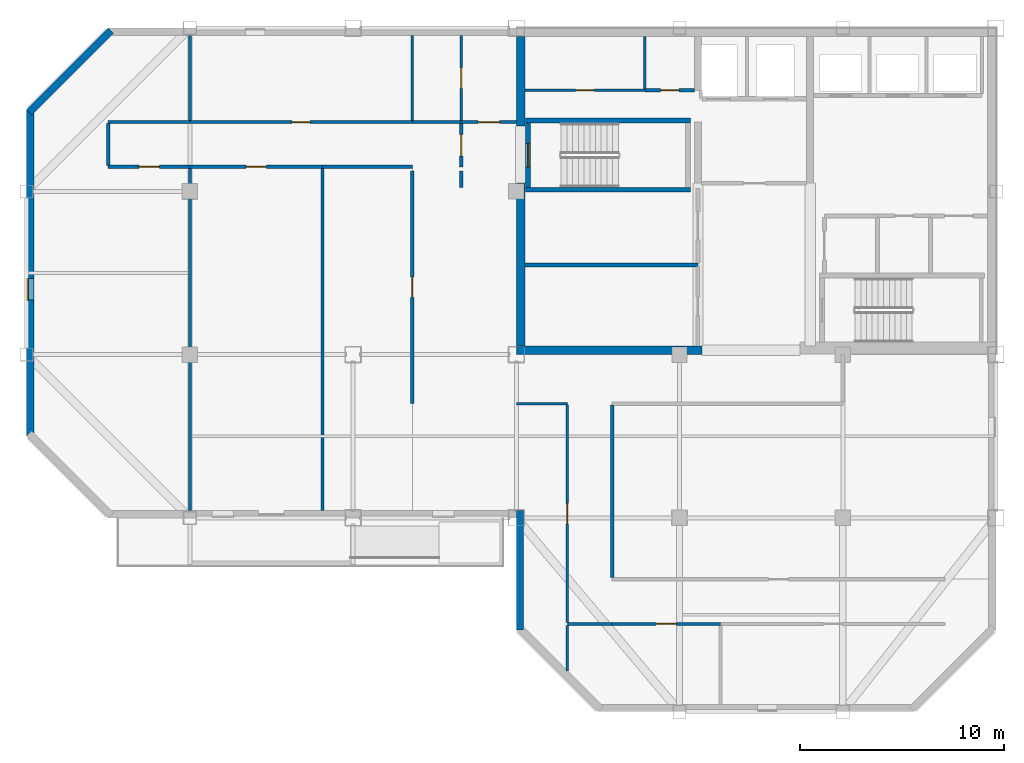
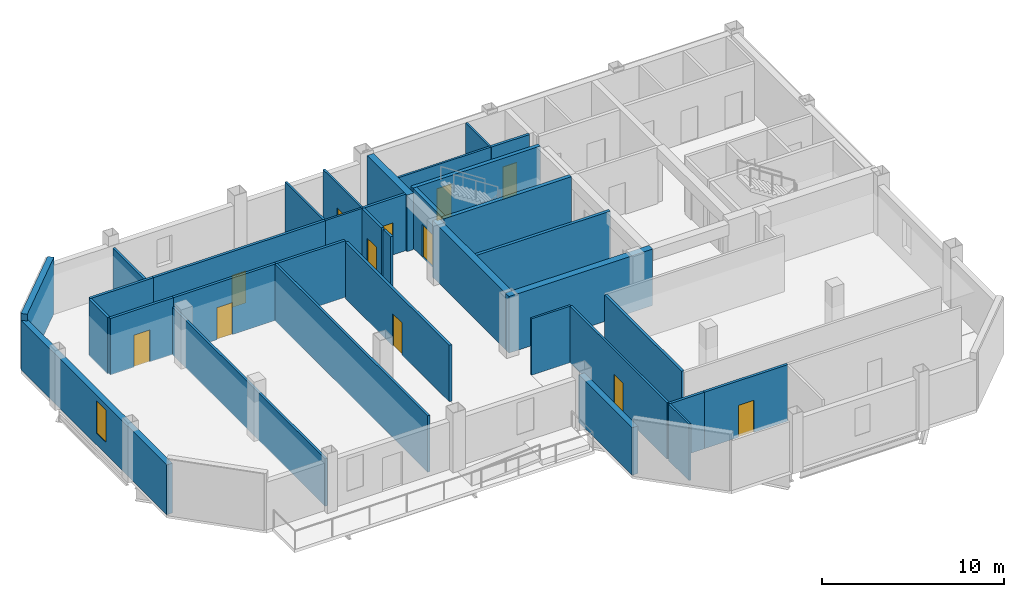
# One storey, part 2 of 7: 35 walls, 12 doors, 1 window, 13 openings.
"""IFC4 building model written with IfcOpenShell, lengths in metres."""

import ifcopenshell
import ifcopenshell.guid

model = None  # the IFC model being written
_history = None  # IfcOwnerHistory: only IFC2X3 demands one
_inside = {}  # id of a spatial element -> (the spatial element, [elements in it])
_under = {}  # id of a project, library or spatial element -> (it, [spatial elements below it])
_declared = {}  # id of a project -> (the project, [libraries it declares])
_typed = {}  # id of a type object -> (the type object, [elements of that type])
_made_of = {}  # id of a material, layer set ... -> (it, [elements and type objects made of it])


def new_model(schema):
    """Start an empty IFC model of exactly this schema.

    Asked for "IFC4X3", IfcOpenShell would pick the latest addendum, in which some entities
    have other attributes; the version numbers below select the first issue.
    IFC2X3 requires an IfcOwnerHistory on every rooted entity: one is made here for all.
    """
    global model, _history
    if schema == "IFC4X3":
        model = ifcopenshell.file(schema_version=(4, 3, 0, 0))
    else:
        model = ifcopenshell.file(schema=schema)
    _inside.clear()
    _under.clear()
    _declared.clear()
    _typed.clear()
    _made_of.clear()
    _history = None
    if model.schema == "IFC2X3":
        org = make("IfcOrganization", Name="unknown")
        user = make(
            "IfcPersonAndOrganization",
            ThePerson=make("IfcPerson", FamilyName="unknown"),
            TheOrganization=org,
        )
        app = make(
            "IfcApplication",
            ApplicationDeveloper=org,
            Version="unknown",
            ApplicationFullName="unknown",
            ApplicationIdentifier="unknown",
        )
        _history = make(
            "IfcOwnerHistory",
            OwningUser=user,
            OwningApplication=app,
            ChangeAction="ADDED",
            CreationDate=0,
        )
    return model


def make(cls, **values):
    """One entity of the class cls with the attributes given. An attribute that is None is left unset."""
    return model.create_entity(
        cls, **{name: value for name, value in values.items() if value is not None}
    )


def rooted(cls, **values):
    """An entity with a GlobalId (a new one), such as an element, a storey or a relation."""
    return make(cls, GlobalId=ifcopenshell.guid.new(), OwnerHistory=_history, **values)


def si_unit(unit_type, name, prefix=None):
    """IfcSIUnit, for example si_unit("LENGTHUNIT", "METRE", prefix="MILLI")."""
    return make("IfcSIUnit", UnitType=unit_type, Prefix=prefix, Name=name)


def assignment(units):
    """IfcUnitAssignment: the units of a project."""
    return None if units is None else make("IfcUnitAssignment", Units=units)


def point(xyz):
    """IfcCartesianPoint."""
    return None if xyz is None else make("IfcCartesianPoint", Coordinates=xyz)


def direction(xyz):
    """IfcDirection."""
    return None if xyz is None else make("IfcDirection", DirectionRatios=xyz)


def frame(location, z_axis=None, x_axis=None):
    """IfcAxis2Placement3D, a coordinate frame: its origin and axes. An axis left out is left unset."""
    return make(
        "IfcAxis2Placement3D",
        Location=point(location),
        Axis=direction(z_axis),
        RefDirection=direction(x_axis),
    )


def frame_2d(location, x_axis=None):
    """IfcAxis2Placement2D, a coordinate frame in the plane: its origin and x axis."""
    return make(
        "IfcAxis2Placement2D", Location=point(location), RefDirection=direction(x_axis)
    )


def origin():
    """The frame at (0, 0, 0) with its axes left unset."""
    return frame((0.0, 0.0, 0.0))


def place(relative_to, where):
    """IfcLocalPlacement: puts the frame where relative to a parent placement (None: the world)."""
    return make(
        "IfcLocalPlacement", PlacementRelTo=relative_to, RelativePlacement=where
    )


def context(
    kind, dimensions, precision=None, world=None, true_north=None, identifier=None
):
    """IfcGeometricRepresentationContext, for example the 3D "Model" context."""
    return make(
        "IfcGeometricRepresentationContext",
        ContextIdentifier=identifier,
        ContextType=kind,
        CoordinateSpaceDimension=dimensions,
        Precision=precision,
        WorldCoordinateSystem=world,
        TrueNorth=true_north,
    )


def subcontext(parent, identifier, kind, view, scale=None):
    """IfcGeometricRepresentationSubContext, for example "Body" below "Model"."""
    return make(
        "IfcGeometricRepresentationSubContext",
        ContextIdentifier=identifier,
        ContextType=kind,
        ParentContext=parent,
        TargetScale=scale,
        TargetView=view,
    )


def project(units=None, contexts=None):
    """IfcProject with its units and contexts."""
    return rooted(
        "IfcProject",
        Name="project",
        RepresentationContexts=contexts,
        UnitsInContext=assignment(units),
    )


def spatial(cls, under=None, at=None, **own):
    """A site, building, storey or space (cls), placed at a placement, below another one or the project."""
    s = rooted(cls, ObjectPlacement=at, **own)
    if under is not None:
        _under.setdefault(under.id(), (under, []))[1].append(s)
    return s


def profile(cls, at=None, kind="AREA", **sizes):
    """A parametric profile (cls). Its sizes go by their IFC names, for example OverallWidth=200.0."""
    return make(cls, ProfileType=kind, Position=at, **sizes)


def rectangle(**sizes):
    """IfcRectangleProfileDef."""
    return profile("IfcRectangleProfileDef", **sizes)


def extrude(swept, where, along, depth):
    """IfcExtrudedAreaSolid: the profile swept, set in the frame where, extruded along a direction by depth."""
    return make(
        "IfcExtrudedAreaSolid",
        SweptArea=swept,
        Position=where,
        ExtrudedDirection=direction(along),
        Depth=depth,
    )


def shape(context_of_items, identifier, shape_type, items):
    """IfcShapeRepresentation: the items that make up one representation, for example the "Body"."""
    return make(
        "IfcShapeRepresentation",
        ContextOfItems=context_of_items,
        RepresentationIdentifier=identifier,
        RepresentationType=shape_type,
        Items=items,
    )


def material(Name=None, Category=None):
    """IfcMaterial."""
    return make("IfcMaterial", Name=Name, Category=Category)


def layer(
    of_material, thickness, ventilated=None, Name=None, Category=None, Priority=None
):
    """IfcMaterialLayer: one layer of a wall or slab, of a material (None: an air gap)."""
    return make(
        "IfcMaterialLayer",
        Material=of_material,
        LayerThickness=thickness,
        IsVentilated=ventilated,
        Name=Name,
        Category=Category,
        Priority=Priority,
    )


def layer_set(layers, Name=None):
    """IfcMaterialLayerSet."""
    return make("IfcMaterialLayerSet", MaterialLayers=layers, LayerSetName=Name)


def made_of(thing, what):
    """Note that an element or type object is made of a material, layer set ...; save() writes the relation."""
    if what is not None:
        _made_of.setdefault(what.id(), (what, []))[1].append(thing)
    return thing


def type_object(cls, material=None, **own):
    """A type object (cls), such as IfcWallType, which elements share."""
    return made_of(rooted(cls, **own), material)


def element(
    cls,
    number,
    at=None,
    inside=None,
    cuts=None,
    type_object=None,
    material=None,
    context=None,
    identifier="Body",
    shape_type=None,
    held_by="IfcProductDefinitionShape",
    body=None,
    shapes=None,
    **own,
):
    """One element of the class cls, such as IfcWall. Its Tag is "e" and its number.

    at: its placement. inside: the storey or other place that contains it. cuts: it is an
    opening in that element (IfcRelVoidsElement). A single representation is given by context,
    identifier, shape_type and body (its items); several are given by shapes. held_by: the class
    of the entity that holds the representations. save() writes the other relations.
    """
    e = rooted(cls, Tag="e%d" % number, ObjectPlacement=at, **own)
    if body is not None:
        shapes = [shape(context, identifier, shape_type, body)]
    if shapes is not None:
        e.Representation = make(held_by, Representations=shapes)
    if inside is not None:
        _inside.setdefault(inside.id(), (inside, []))[1].append(e)
    if cuts is not None:
        rooted(
            "IfcRelVoidsElement", RelatingBuildingElement=cuts, RelatedOpeningElement=e
        )
    if type_object is not None:
        _typed.setdefault(type_object.id(), (type_object, []))[1].append(e)
    return made_of(e, material)


def fill(opening, filler):
    """IfcRelFillsElement: the door or window that sits in an opening."""
    return rooted(
        "IfcRelFillsElement",
        RelatingOpeningElement=opening,
        RelatedBuildingElement=filler,
    )


def aggregate(whole, parts):
    """IfcRelAggregates: a whole, such as a stair, and the parts it consists of."""
    return rooted("IfcRelAggregates", RelatingObject=whole, RelatedObjects=parts)


def save(model, path):
    """Write the relations noted so far, then the file.

    IfcRelAggregates (storeys below a building ...), IfcRelContainedInSpatialStructure (elements
    in a storey), IfcRelDefinesByType, IfcRelAssociatesMaterial and IfcRelDeclares: one each for
    every whole, place, type object, material and project.
    """
    for whole, parts in _under.values():
        aggregate(whole, parts)
    for where, things in _inside.values():
        rooted(
            "IfcRelContainedInSpatialStructure",
            RelatedElements=things,
            RelatingStructure=where,
        )
    for kind, things in _typed.values():
        rooted("IfcRelDefinesByType", RelatedObjects=things, RelatingType=kind)
    for what, things in _made_of.values():
        rooted("IfcRelAssociatesMaterial", RelatedObjects=things, RelatingMaterial=what)
    for by, libraries in _declared.values():
        rooted("IfcRelDeclares", RelatingContext=by, RelatedDefinitions=libraries)
    model.write(path)


model = new_model("IFC4")

# Units and contexts
model_context = context("Model", 3, precision=1e-05, world=origin(), true_north=direction((0.0, 1.0)))
body_context = subcontext(model_context, "Body", "Model", "MODEL_VIEW")
ifc_project = project(units=[si_unit("LENGTHUNIT", "METRE"), si_unit("AREAUNIT", "SQUARE_METRE"), si_unit("VOLUMEUNIT", "CUBIC_METRE"), si_unit("PLANEANGLEUNIT", "RADIAN"), si_unit("MASSUNIT", "GRAM", prefix="KILO")], contexts=[model_context])

# Site, building, storey
site_placement = place(None, origin())
site = spatial("IfcSite", under=ifc_project, at=site_placement, CompositionType="ELEMENT")
building_placement = place(site_placement, origin())
building = spatial("IfcBuilding", under=site, at=building_placement, Name="Qianrong Seaharbour Tower", CompositionType="ELEMENT")
storey_placement = place(building_placement, frame((0.0, 0.0, 323.199951171875)))
storey = spatial("IfcBuildingStorey", under=building, at=storey_placement, Name="L78", CompositionType="ELEMENT", Elevation=323.199951171875)

# Walls
ifc_material_1 = material(Name="Concrete C50/60", Category="concrete")
ifc_layer_1 = layer(ifc_material_1, 0.419921875)
ifc_layer_set_1 = layer_set([ifc_layer_1], Name="Concrete C50/60")
wall_type_1 = type_object("IfcWallType", Name="WALL-CORE-420", PredefinedType="SHEAR", material=ifc_layer_set_1)
wall_1_placement = place(storey_placement, frame((40.7099609375, 36.419921875, 0.0), z_axis=(0.0, 0.0, 1.0), x_axis=(0.0, 1.0, 0.0)))
element("IfcWall", 1, at=wall_1_placement, inside=storey, type_object=wall_type_1, Name="L78 West Core Shear Wall South", PredefinedType="SHEAR", context=body_context, shape_type="SweptSolid", body=[
    extrude(rectangle(XDim=7.97998046875, YDim=0.419921875, at=frame_2d((3.989990234375, 0.0))), origin(), (0.0, 0.0, 1.0), 3.78515625),
])
wall_2_placement = place(storey_placement, frame((40.7099609375, 47.199951171875, 0.0), z_axis=(0.0, 0.0, 1.0), x_axis=(0.0, 1.0, 0.0)))
element("IfcWall", 2, at=wall_2_placement, inside=storey, type_object=wall_type_1, Name="L78 West Core Shear Wall North", PredefinedType="SHEAR", context=body_context, shape_type="SweptSolid", body=[
    extrude(rectangle(XDim=4.380126953125, YDim=0.419921875, at=frame_2d((2.18994140625, 0.0))), origin(), (0.0, 0.0, 1.0), 3.78515625),
])
wall_3_placement = place(storey_placement, frame((40.5, 36.2099609375, 0.0), z_axis=(0.0, 0.0, 1.0), x_axis=(1.0, 0.0, 0.0)))
element("IfcWall", 3, at=wall_3_placement, inside=storey, type_object=wall_type_1, Name="L78 South Core Shear Wall S1", PredefinedType="SHEAR", context=body_context, shape_type="SweptSolid", body=[
    extrude(rectangle(XDim=9.10009765625, YDim=0.419921875, at=frame_2d((4.550048828125, 0.0))), origin(), (0.0, 0.0, 1.0), 3.78515625),
])

# Wall, opening, door
ifc_material_2 = material(Name="Fire-rated acoustic gypsum board partition")
ifc_layer_2 = layer(ifc_material_2, 0.1650390625)
ifc_layer_set_2 = layer_set([ifc_layer_2], Name="Fire-rated acoustic gypsum board partition")
wall_type_2 = type_object("IfcWallType", Name="WALL-CORR-PART-165", PredefinedType="PARTITIONING", material=ifc_layer_set_2)
wall_4_placement = place(storey_placement, frame((37.800048828125, 47.39990234375, 0.0), z_axis=(0.0, 0.0, 1.0), x_axis=(1.0, 0.0, 0.0)))
wall_4 = element("IfcWall", 4, at=wall_4_placement, inside=storey, type_object=wall_type_2, Name="L78 Interior Partition Wall 001", PredefinedType="PARTITIONING", context=body_context, shape_type="SweptSolid", body=[
    extrude(rectangle(XDim=2.699951171875, YDim=0.1650390625, at=frame_2d((1.35009765625, 0.0))), origin(), (0.0, 0.0, 1.0), 3.78515625),
])
opening_1_placement = place(wall_4_placement, frame((0.824951171875, 0.0, 0.0)))
opening_1 = element("IfcOpeningElement", 5, at=opening_1_placement, cuts=wall_4, Name="Opening DC-01", PredefinedType="OPENING", context=body_context, shape_type="SweptSolid", body=[
    extrude(rectangle(XDim=1.050048828125, YDim=2.14990234375, at=frame_2d((0.52490234375, 1.074951171875))), frame((0.0, 0.092529296875, 0.0), z_axis=(0.0, -1.0, 0.0), x_axis=(1.0, 0.0, 0.0)), (0.0, 0.0, 1.0), 0.18505859375),
])
ifc_material_3 = material(Name="Acoustic timber and galvanized steel fire door assembly", Category="steel")
door_type_1 = type_object("IfcDoorType", Name="DOOR-CORR-FD60-1050x2150", OperationType="NOTDEFINED", PredefinedType="DOOR", material=ifc_material_3)
door_1_placement = place(opening_1_placement, origin())
door_1 = element("IfcDoor", 6, at=door_1_placement, inside=storey, type_object=door_type_1, Name="L78 Smokeproof Stair Vestibule ST-1 Door", OperationType="SINGLE_SWING_LEFT", OverallHeight=2.14990234375, OverallWidth=1.050048828125, PredefinedType="DOOR", context=body_context, shape_type="SweptSolid", body=[
    extrude(rectangle(XDim=1.050048828125, YDim=2.14990234375, at=frame_2d((0.52490234375, 1.074951171875))), frame((0.0, 0.02490234375, 0.0), z_axis=(0.0, -1.0, 0.0), x_axis=(1.0, 0.0, 0.0)), (0.0, 0.0, 1.0), 0.050048828125),
])
fill(opening_1, door_1)

wall_5_placement = place(storey_placement, frame((37.800048828125, 45.199951171875, 0.0), z_axis=(0.0, 0.0, 1.0), x_axis=(0.0, 1.0, 0.0)))
wall_5 = element("IfcWall", 7, at=wall_5_placement, inside=storey, type_object=wall_type_2, Name="L78 Interior Partition Wall 002", PredefinedType="PARTITIONING", context=body_context, shape_type="SweptSolid", body=[
    extrude(rectangle(XDim=2.12548828125, YDim=0.1650390625, at=frame_2d((1.062744140625, 0.0))), origin(), (0.0, 0.0, 1.0), 3.78515625),
])
opening_2_placement = place(wall_5_placement, frame((0.537841796875, 0.0, 0.0)))
opening_2 = element("IfcOpeningElement", 8, at=opening_2_placement, cuts=wall_5, Name="Opening DC-01", PredefinedType="OPENING", context=body_context, shape_type="SweptSolid", body=[
    extrude(rectangle(XDim=1.050048828125, YDim=2.14990234375, at=frame_2d((0.52490234375, 1.074951171875))), frame((0.0, 0.092529296875, 0.0), z_axis=(0.0, -1.0, 0.0), x_axis=(1.0, 0.0, 0.0)), (0.0, 0.0, 1.0), 0.18505859375),
])
door_2_placement = place(opening_2_placement, origin())
door_2 = element("IfcDoor", 9, at=door_2_placement, inside=storey, type_object=door_type_1, Name="L78 Smokeproof Stair Vestibule ST-1 Door", OperationType="SINGLE_SWING_RIGHT", OverallHeight=2.14990234375, OverallWidth=1.050048828125, PredefinedType="DOOR", context=body_context, shape_type="SweptSolid", body=[
    extrude(rectangle(XDim=1.050048828125, YDim=2.14990234375, at=frame_2d((0.52490234375, 1.074951171875))), frame((0.0, 0.02490234375, 0.0), z_axis=(0.0, -1.0, 0.0), x_axis=(1.0, 0.0, 0.0)), (0.0, 0.0, 1.0), 0.050048828125),
])
fill(opening_2, door_2)

# Wall
wall_6_placement = place(storey_placement, frame((37.800048828125, 44.199951171875, 0.0), z_axis=(0.0, 0.0, 1.0), x_axis=(0.0, 1.0, 0.0)))
element("IfcWall", 10, at=wall_6_placement, inside=storey, type_object=wall_type_2, Name="L78 Interior Partition Wall 003", PredefinedType="PARTITIONING", context=body_context, shape_type="SweptSolid", body=[
    extrude(rectangle(XDim=0.800048828125, YDim=0.1650390625, at=frame_2d((0.39990234375, 0.0))), origin(), (0.0, 0.0, 1.0), 3.78515625),
])

# Wall, opening, door
wall_7_placement = place(storey_placement, frame((46.800048828125, 48.949951171875, 0.0), z_axis=(0.0, 0.0, 1.0), x_axis=(1.0, 0.0, 0.0)))
wall_7 = element("IfcWall", 11, at=wall_7_placement, inside=storey, type_object=wall_type_2, Name="L78 Interior Partition Wall 008", PredefinedType="PARTITIONING", context=body_context, shape_type="SweptSolid", body=[
    extrude(rectangle(XDim=2.432861328125, YDim=0.1650390625, at=frame_2d((1.21630859375, 0.0))), origin(), (0.0, 0.0, 1.0), 3.78515625),
])
opening_3_placement = place(wall_7_placement, frame((0.7666015625, 0.0, 0.0)))
opening_3 = element("IfcOpeningElement", 12, at=opening_3_placement, cuts=wall_7, Name="Opening DS-01", PredefinedType="OPENING", context=body_context, shape_type="SweptSolid", body=[
    extrude(rectangle(XDim=0.89990234375, YDim=2.14990234375, at=frame_2d((0.449951171875, 1.074951171875))), frame((0.0, 0.092529296875, 0.0), z_axis=(0.0, -1.0, 0.0), x_axis=(1.0, 0.0, 0.0)), (0.0, 0.0, 1.0), 0.18505859375),
])
door_type_2 = type_object("IfcDoorType", Name="DOOR-STORE-900x2150", OperationType="NOTDEFINED", PredefinedType="DOOR", material=ifc_material_3)
door_3_placement = place(opening_3_placement, origin())
door_3 = element("IfcDoor", 13, at=door_3_placement, inside=storey, type_object=door_type_2, Name="L78 Janitor Store Room Door", OperationType="SINGLE_SWING_LEFT", OverallHeight=2.14990234375, OverallWidth=0.89990234375, PredefinedType="DOOR", context=body_context, shape_type="SweptSolid", body=[
    extrude(rectangle(XDim=0.89990234375, YDim=2.14990234375, at=frame_2d((0.449951171875, 1.074951171875))), frame((0.0, 0.02490234375, 0.0), z_axis=(0.0, -1.0, 0.0), x_axis=(1.0, 0.0, 0.0)), (0.0, 0.0, 1.0), 0.050048828125),
])
fill(opening_3, door_3)

wall_8_placement = place(storey_placement, frame((24.5, 45.199951171875, 0.0), z_axis=(0.0, 0.0, 1.0), x_axis=(-1.0, 0.0, 0.0)))
wall_8 = element("IfcWall", 14, at=wall_8_placement, inside=storey, type_object=wall_type_2, Name="L78 Interior Partition Wall 020", PredefinedType="PARTITIONING", context=body_context, shape_type="SweptSolid", body=[
    extrude(rectangle(XDim=4.0, YDim=0.1650390625, at=frame_2d((2.0, 0.0))), origin(), (0.0, 0.0, 1.0), 3.78515625),
])
opening_4_placement = place(wall_8_placement, frame((1.5, 0.0, 0.0)))
opening_4 = element("IfcOpeningElement", 15, at=opening_4_placement, cuts=wall_8, Name="Opening DO-01", PredefinedType="OPENING", context=body_context, shape_type="SweptSolid", body=[
    extrude(rectangle(XDim=1.0, YDim=2.14990234375, at=frame_2d((0.5, 1.074951171875))), frame((0.0, 0.092529296875, 0.0), z_axis=(0.0, -1.0, 0.0), x_axis=(1.0, 0.0, 0.0)), (0.0, 0.0, 1.0), 0.18505859375),
])
door_type_3 = type_object("IfcDoorType", Name="DOOR-OFFICE-1000x2150", OperationType="NOTDEFINED", PredefinedType="DOOR", material=ifc_material_3)
door_4_placement = place(opening_4_placement, origin())
door_4 = element("IfcDoor", 16, at=door_4_placement, inside=storey, type_object=door_type_3, Name="L78 West Harbour Open-Plan Office Door", OperationType="SINGLE_SWING_LEFT", OverallHeight=2.14990234375, OverallWidth=1.0, PredefinedType="DOOR", context=body_context, shape_type="SweptSolid", body=[
    extrude(rectangle(XDim=1.0, YDim=2.14990234375, at=frame_2d((0.5, 1.074951171875))), frame((0.0, 0.02490234375, 0.0), z_axis=(0.0, -1.0, 0.0), x_axis=(1.0, 0.0, 0.0)), (0.0, 0.0, 1.0), 0.050048828125),
])
fill(opening_4, door_4)

# Walls
wall_9_placement = place(storey_placement, frame((20.5, 45.2744140625, 0.0), z_axis=(0.0, 0.0, 1.0), x_axis=(0.0, 1.0, 0.0)))
element("IfcWall", 17, at=wall_9_placement, inside=storey, type_object=wall_type_2, Name="L78 Interior Partition Wall 021", PredefinedType="PARTITIONING", context=body_context, shape_type="SweptSolid", body=[
    extrude(rectangle(XDim=2.051025390625, YDim=0.1650390625, at=frame_2d((1.025390625, 0.0))), origin(), (0.0, 0.0, 1.0), 3.78515625),
])
wall_10_placement = place(storey_placement, frame((20.5, 47.39990234375, 0.0), z_axis=(0.0, 0.0, 1.0), x_axis=(1.0, 0.0, 0.0)))
element("IfcWall", 18, at=wall_10_placement, inside=storey, type_object=wall_type_2, Name="L78 Interior Partition Wall 022", PredefinedType="PARTITIONING", context=body_context, shape_type="SweptSolid", body=[
    extrude(rectangle(XDim=4.0, YDim=0.1650390625, at=frame_2d((2.0, 0.0))), origin(), (0.0, 0.0, 1.0), 3.78515625),
])

# Wall, opening, door
wall_11_placement = place(storey_placement, frame((24.5, 47.39990234375, 0.0), z_axis=(0.0, 0.0, 1.0), x_axis=(1.0, 0.0, 0.0)))
wall_11 = element("IfcWall", 19, at=wall_11_placement, inside=storey, type_object=wall_type_2, Name="L78 Interior Partition Wall 023", PredefinedType="PARTITIONING", context=body_context, shape_type="SweptSolid", body=[
    extrude(rectangle(XDim=10.89990234375, YDim=0.1650390625, at=frame_2d((5.449951171875, 0.0))), origin(), (0.0, 0.0, 1.0), 3.78515625),
])
opening_5_placement = place(wall_11_placement, frame((5.0, 0.0, 0.0)))
opening_5 = element("IfcOpeningElement", 20, at=opening_5_placement, cuts=wall_11, Name="Opening DS-01", PredefinedType="OPENING", context=body_context, shape_type="SweptSolid", body=[
    extrude(rectangle(XDim=0.89990234375, YDim=2.14990234375, at=frame_2d((0.449951171875, 1.074951171875))), frame((0.0, 0.092529296875, 0.0), z_axis=(0.0, -1.0, 0.0), x_axis=(1.0, 0.0, 0.0)), (0.0, 0.0, 1.0), 0.18505859375),
])
door_5_placement = place(opening_5_placement, origin())
door_5 = element("IfcDoor", 21, at=door_5_placement, inside=storey, type_object=door_type_2, Name="L78 Corporate Archive Room Door", OperationType="SINGLE_SWING_RIGHT", OverallHeight=2.14990234375, OverallWidth=0.89990234375, PredefinedType="DOOR", context=body_context, shape_type="SweptSolid", body=[
    extrude(rectangle(XDim=0.89990234375, YDim=2.14990234375, at=frame_2d((0.449951171875, 1.074951171875))), frame((0.0, 0.02490234375, 0.0), z_axis=(0.0, -1.0, 0.0), x_axis=(1.0, 0.0, 0.0)), (0.0, 0.0, 1.0), 0.050048828125),
])
fill(opening_5, door_5)

wall_12_placement = place(storey_placement, frame((31.0, 45.199951171875, 0.0), z_axis=(0.0, 0.0, 1.0), x_axis=(-1.0, 0.0, 0.0)))
wall_12 = element("IfcWall", 22, at=wall_12_placement, inside=storey, type_object=wall_type_2, Name="L78 Interior Partition Wall 024", PredefinedType="PARTITIONING", context=body_context, shape_type="SweptSolid", body=[
    extrude(rectangle(XDim=6.5, YDim=0.1650390625, at=frame_2d((3.25, 0.0))), origin(), (0.0, 0.0, 1.0), 3.78515625),
])
opening_6_placement = place(wall_12_placement, frame((2.75, 0.0, 0.0)))
opening_6 = element("IfcOpeningElement", 23, at=opening_6_placement, cuts=wall_12, Name="Opening DO-01", PredefinedType="OPENING", context=body_context, shape_type="SweptSolid", body=[
    extrude(rectangle(XDim=1.0, YDim=2.14990234375, at=frame_2d((0.5, 1.074951171875))), frame((0.0, 0.092529296875, 0.0), z_axis=(0.0, -1.0, 0.0), x_axis=(1.0, 0.0, 0.0)), (0.0, 0.0, 1.0), 0.18505859375),
])
door_6_placement = place(opening_6_placement, origin())
door_6 = element("IfcDoor", 24, at=door_6_placement, inside=storey, type_object=door_type_3, Name="L78 Project Library 1 Door", OperationType="SINGLE_SWING_LEFT", OverallHeight=2.14990234375, OverallWidth=1.0, PredefinedType="DOOR", context=body_context, shape_type="SweptSolid", body=[
    extrude(rectangle(XDim=1.0, YDim=2.14990234375, at=frame_2d((0.5, 1.074951171875))), frame((0.0, 0.02490234375, 0.0), z_axis=(0.0, -1.0, 0.0), x_axis=(1.0, 0.0, 0.0)), (0.0, 0.0, 1.0), 0.050048828125),
])
fill(opening_6, door_6)

# Wall
wall_13_placement = place(storey_placement, frame((35.39990234375, 45.199951171875, 0.0), z_axis=(0.0, 0.0, 1.0), x_axis=(-1.0, 0.0, 0.0)))
element("IfcWall", 25, at=wall_13_placement, inside=storey, type_object=wall_type_2, Name="L78 Interior Partition Wall 025", PredefinedType="PARTITIONING", context=body_context, shape_type="SweptSolid", body=[
    extrude(rectangle(XDim=4.39990234375, YDim=0.1650390625, at=frame_2d((2.199951171875, 0.0))), origin(), (0.0, 0.0, 1.0), 3.78515625),
])

# Wall, opening, door
wall_14_placement = place(storey_placement, frame((35.39990234375, 33.60009765625, 0.0), z_axis=(0.0, 0.0, 1.0), x_axis=(0.0, 1.0, 0.0)))
wall_14 = element("IfcWall", 26, at=wall_14_placement, inside=storey, type_object=wall_type_2, Name="L78 Interior Partition Wall 026", PredefinedType="PARTITIONING", context=body_context, shape_type="SweptSolid", body=[
    extrude(rectangle(XDim=11.39990234375, YDim=0.1650390625, at=frame_2d((5.699951171875, 0.0))), origin(), (0.0, 0.0, 1.0), 3.78515625),
])
opening_7_placement = place(wall_14_placement, frame((5.199951171875, 0.0, 0.0)))
opening_7 = element("IfcOpeningElement", 27, at=opening_7_placement, cuts=wall_14, Name="Opening DO-01", PredefinedType="OPENING", context=body_context, shape_type="SweptSolid", body=[
    extrude(rectangle(XDim=1.0, YDim=2.14990234375, at=frame_2d((0.5, 1.074951171875))), frame((0.0, 0.092529296875, 0.0), z_axis=(0.0, -1.0, 0.0), x_axis=(1.0, 0.0, 0.0)), (0.0, 0.0, 1.0), 0.18505859375),
])
door_7_placement = place(opening_7_placement, origin())
door_7 = element("IfcDoor", 28, at=door_7_placement, inside=storey, type_object=door_type_3, Name="L78 Digital Media Hall 2 Door", OperationType="SINGLE_SWING_RIGHT", OverallHeight=2.14990234375, OverallWidth=1.0, PredefinedType="DOOR", context=body_context, shape_type="SweptSolid", body=[
    extrude(rectangle(XDim=1.0, YDim=2.14990234375, at=frame_2d((0.5, 1.074951171875))), frame((0.0, 0.02490234375, 0.0), z_axis=(0.0, -1.0, 0.0), x_axis=(1.0, 0.0, 0.0)), (0.0, 0.0, 1.0), 0.050048828125),
])
fill(opening_7, door_7)

# Walls
wall_15_placement = place(storey_placement, frame((45.199951171875, 33.525390625, 0.0), z_axis=(0.0, 0.0, 1.0), x_axis=(0.0, -1.0, 0.0)))
element("IfcWall", 29, at=wall_15_placement, inside=storey, type_object=wall_type_2, Name="L78 Interior Partition Wall 030", PredefinedType="PARTITIONING", context=body_context, shape_type="SweptSolid", body=[
    extrude(rectangle(XDim=8.450927734375, YDim=0.1650390625, at=frame_2d((4.2255859375, 0.0))), origin(), (0.0, 0.0, 1.0), 3.78515625),
])
wall_16_placement = place(storey_placement, frame((45.199951171875, 22.800048828125, 0.0), z_axis=(0.0, 0.0, 1.0), x_axis=(-1.0, 0.0, 0.0)))
element("IfcWall", 30, at=wall_16_placement, inside=storey, type_object=wall_type_2, Name="L78 Interior Partition Wall 032", PredefinedType="PARTITIONING", context=body_context, shape_type="SweptSolid", body=[
    extrude(rectangle(XDim=2.199951171875, YDim=0.1650390625, at=frame_2d((1.10009765625, 0.0))), origin(), (0.0, 0.0, 1.0), 3.78515625),
])

# Wall, opening, door
wall_17_placement = place(storey_placement, frame((50.5, 22.800048828125, 0.0), z_axis=(0.0, 0.0, 1.0), x_axis=(-1.0, 0.0, 0.0)))
wall_17 = element("IfcWall", 31, at=wall_17_placement, inside=storey, type_object=wall_type_2, Name="L78 Interior Partition Wall 034", PredefinedType="PARTITIONING", context=body_context, shape_type="SweptSolid", body=[
    extrude(rectangle(XDim=5.300048828125, YDim=0.1650390625, at=frame_2d((2.64990234375, 0.0))), origin(), (0.0, 0.0, 1.0), 3.78515625),
])
opening_8_placement = place(wall_17_placement, frame((2.14990234375, 0.0, 0.0)))
opening_8 = element("IfcOpeningElement", 32, at=opening_8_placement, cuts=wall_17, Name="Opening DO-01", PredefinedType="OPENING", context=body_context, shape_type="SweptSolid", body=[
    extrude(rectangle(XDim=1.0, YDim=2.14990234375, at=frame_2d((0.5, 1.074951171875))), frame((0.0, 0.092529296875, 0.0), z_axis=(0.0, -1.0, 0.0), x_axis=(1.0, 0.0, 0.0)), (0.0, 0.0, 1.0), 0.18505859375),
])
door_8_placement = place(opening_8_placement, origin())
door_8 = element("IfcDoor", 33, at=door_8_placement, inside=storey, type_object=door_type_3, Name="L78 Harbour Symposium Hall 1 Door", OperationType="SINGLE_SWING_LEFT", OverallHeight=2.14990234375, OverallWidth=1.0, PredefinedType="DOOR", context=body_context, shape_type="SweptSolid", body=[
    extrude(rectangle(XDim=1.0, YDim=2.14990234375, at=frame_2d((0.5, 1.074951171875))), frame((0.0, 0.02490234375, 0.0), z_axis=(0.0, -1.0, 0.0), x_axis=(1.0, 0.0, 0.0)), (0.0, 0.0, 1.0), 0.050048828125),
])
fill(opening_8, door_8)

# Wall
ifc_material_4 = material(Name="Unitised red brick on Precast concrete C45/55", Category="masonry")
ifc_layer_3 = layer(ifc_material_4, 0.360107421875)
ifc_layer_set_3 = layer_set([ifc_layer_3], Name="Unitised red brick on Precast concrete C45/55")
wall_type_3 = type_object("IfcWallType", Name="WALL-EXT-BRICK-RED-360", PredefinedType="SOLIDWALL", material=ifc_layer_set_3)
wall_18_placement = place(storey_placement, frame((40.679931640625, 22.5, 0.0), z_axis=(0.0, 0.0, 1.0), x_axis=(0.0, 1.0, 0.0)))
element("IfcWall", 34, at=wall_18_placement, inside=storey, type_object=wall_type_3, Name="L78 Exterior Masonry Facade Wall REENTRANT_WEST", PredefinedType="SOLIDWALL", context=body_context, shape_type="SweptSolid", body=[
    extrude(rectangle(XDim=5.860107421875, YDim=0.360107421875, at=frame_2d((2.93017578125, 0.0))), origin(), (0.0, 0.0, 1.0), 3.18505859375),
])

# Wall, opening, window
wall_19_placement = place(storey_placement, frame((16.679931640625, 32.0, 0.0), z_axis=(0.0, 0.0, 1.0), x_axis=(0.0, 1.0, 0.0)))
wall_19 = element("IfcWall", 35, at=wall_19_placement, inside=storey, type_object=wall_type_3, Name="L78 Exterior Masonry Facade Wall WEST_TIP", PredefinedType="SOLIDWALL", context=body_context, shape_type="SweptSolid", body=[
    extrude(rectangle(XDim=16.0, YDim=0.360107421875, at=frame_2d((8.0, 0.0))), origin(), (0.0, 0.0, 1.0), 3.3349609375),
])
opening_9_placement = place(wall_19_placement, frame((6.675048828125, 0.0, 0.800048828125)))
opening_9 = element("IfcOpeningElement", 36, at=opening_9_placement, cuts=wall_19, Name="Opening WN-14", PredefinedType="OPENING", context=body_context, shape_type="SweptSolid", body=[
    extrude(rectangle(XDim=1.050048828125, YDim=2.14990234375, at=frame_2d((0.52490234375, 1.074951171875))), frame((0.0, 0.18994140625, 0.0), z_axis=(0.0, -1.0, 0.0), x_axis=(1.0, 0.0, 0.0)), (0.0, 0.0, 1.0), 0.380126953125),
])
ifc_material_5 = material(Name="Insulated low-e double glazing in thermally broken aluminium 6063-T6 frame", Category="aluminium")
window_type = type_object("IfcWindowType", Name="WIN-NARROW-1050x2150", PartitioningType="SINGLE_PANEL", PredefinedType="WINDOW", material=ifc_material_5)
window_placement = place(opening_9_placement, origin())
window = element("IfcWindow", 37, at=window_placement, inside=storey, type_object=window_type, Name="L78 Deep-Set Punched Window 03.02", OverallHeight=2.14990234375, OverallWidth=1.050048828125, PartitioningType="SINGLE_PANEL", PredefinedType="WINDOW", context=body_context, shape_type="SweptSolid", body=[
    extrude(rectangle(XDim=1.050048828125, YDim=2.14990234375, at=frame_2d((0.52490234375, 1.074951171875))), frame((0.0, 0.150146484375, 0.0), z_axis=(0.0, -1.0, 0.0), x_axis=(1.0, 0.0, 0.0)), (0.0, 0.0, 1.0), 0.06005859375),
])
fill(opening_9, window)

# Walls
wall_20_placement = place(storey_placement, frame((16.627197265625, 47.872802734375, 0.0), z_axis=(0.0, 0.0, 1.0), x_axis=(0.707106781187, 0.707106781187, 0.0)))
element("IfcWall", 38, at=wall_20_placement, inside=storey, type_object=wall_type_3, Name="L78 Exterior Masonry Facade Wall E04", PredefinedType="SOLIDWALL", context=body_context, shape_type="SweptSolid", body=[
    extrude(rectangle(XDim=5.65673828125, YDim=0.360107421875, at=frame_2d((2.828369140625, 0.0))), origin(), (0.0, 0.0, 1.0), 3.78515625),
])
ifc_material_6 = material(Name="Double fire-rated gypsum board acoustic partition")
ifc_layer_4 = layer(ifc_material_6, 0.18994140625)
ifc_layer_set_4 = layer_set([ifc_layer_4], Name="Double fire-rated gypsum board acoustic partition")
wall_type_4 = type_object("IfcWallType", Name="WALL-FIRE-PART-190", PredefinedType="PARTITIONING", material=ifc_layer_set_4)
wall_21_placement = place(storey_placement, frame((40.919921875, 40.39990234375, 0.0), z_axis=(0.0, 0.0, 1.0), x_axis=(1.0, 0.0, 0.0)))
element("IfcWall", 39, at=wall_21_placement, inside=storey, type_object=wall_type_4, Name="L78 Interior Partition Wall 013", PredefinedType="PARTITIONING", context=body_context, shape_type="SweptSolid", body=[
    extrude(rectangle(XDim=8.47998046875, YDim=0.18994140625, at=frame_2d((4.239990234375, 0.0))), origin(), (0.0, 0.0, 1.0), 3.78515625),
])
ifc_material_7 = material(Name="Acoustic gypsum board stud partition")
ifc_layer_5 = layer(ifc_material_7, 0.14501953125)
ifc_layer_set_5 = layer_set([ifc_layer_5], Name="Acoustic gypsum board stud partition")
wall_type_5 = type_object("IfcWallType", Name="WALL-OFFICE-PART-145", PredefinedType="PARTITIONING", material=ifc_layer_set_5)
wall_22_placement = place(storey_placement, frame((24.5, 51.64794921875, 0.0), z_axis=(0.0, 0.0, 1.0), x_axis=(0.0, -1.0, 0.0)))
element("IfcWall", 40, at=wall_22_placement, inside=storey, type_object=wall_type_5, Name="L78 Interior Partition Wall 036", PredefinedType="PARTITIONING", context=body_context, shape_type="SweptSolid", body=[
    extrude(rectangle(XDim=4.17333984375, YDim=0.14501953125, at=frame_2d((2.086669921875, 0.0))), origin(), (0.0, 0.0, 1.0), 3.177001953125),
])
wall_23_placement = place(storey_placement, frame((24.5, 45.12548828125, 0.0), z_axis=(0.0, 0.0, 1.0), x_axis=(0.0, -1.0, 0.0)))
element("IfcWall", 41, at=wall_23_placement, inside=storey, type_object=wall_type_5, Name="L78 Interior Partition Wall 037", PredefinedType="PARTITIONING", context=body_context, shape_type="SweptSolid", body=[
    extrude(rectangle(XDim=16.7734375, YDim=0.14501953125, at=frame_2d((8.38671875, 0.0))), origin(), (0.0, 0.0, 1.0), 3.177001953125),
])
wall_24_placement = place(storey_placement, frame((31.0, 45.12548828125, 0.0), z_axis=(0.0, 0.0, 1.0), x_axis=(0.0, -1.0, 0.0)))
element("IfcWall", 42, at=wall_24_placement, inside=storey, type_object=wall_type_5, Name="L78 Interior Partition Wall 038", PredefinedType="PARTITIONING", context=body_context, shape_type="SweptSolid", body=[
    extrude(rectangle(XDim=16.7734375, YDim=0.14501953125, at=frame_2d((8.38671875, 0.0))), origin(), (0.0, 0.0, 1.0), 3.78515625),
])
ifc_layer_6 = layer(ifc_material_1, 0.239990234375)
ifc_layer_set_6 = layer_set([ifc_layer_6], Name="Concrete C50/60")
wall_type_6 = type_object("IfcWallType", Name="WALL-SHAFT-RC240", PredefinedType="SOLIDWALL", material=ifc_layer_set_6)
for number, where, z_axis, x_axis, name in (
    (43, (40.9599609375, 47.469970703125, 0.0), (0.0, 0.0, 1.0), (1.0, 0.0, 0.0), "L78 ST-1 Structural Stair Core Wall N"),
    (44, (49.0400390625, 44.080078125, 0.0), (0.0, 0.0, 1.0), (-1.0, 0.0, 0.0), "L78 ST-1 Structural Stair Core Wall S"),
):
    element("IfcWall", number, at=place(storey_placement, frame(where, z_axis=z_axis, x_axis=x_axis)), inside=storey, type_object=wall_type_6, Name=name, PredefinedType="SOLIDWALL", context=body_context, shape_type="SweptSolid", body=[
        extrude(rectangle(XDim=8.080078125, YDim=0.239990234375, at=frame_2d((4.0400390625, 0.0))), origin(), (0.0, 0.0, 1.0), 4.0),
    ])

# Wall, opening, door
wall_25_placement = place(storey_placement, frame((41.080078125, 47.35009765625, 0.0), z_axis=(0.0, 0.0, 1.0), x_axis=(0.0, -1.0, 0.0)))
wall_25 = element("IfcWall", 45, at=wall_25_placement, inside=storey, type_object=wall_type_6, Name="L78 ST-1 Structural Stair Core Wall W", PredefinedType="SOLIDWALL", context=body_context, shape_type="SweptSolid", body=[
    extrude(rectangle(XDim=3.150146484375, YDim=0.239990234375, at=frame_2d((1.5751953125, 0.0))), origin(), (0.0, 0.0, 1.0), 4.0),
])
opening_10_placement = place(wall_25_placement, frame((1.0, 0.0, 0.0)))
opening_10 = element("IfcOpeningElement", 46, at=opening_10_placement, cuts=wall_25, Name="Opening SD-01", PredefinedType="OPENING", context=body_context, shape_type="SweptSolid", body=[
    extrude(rectangle(XDim=1.14990234375, YDim=2.199951171875, at=frame_2d((0.574951171875, 1.10009765625))), frame((0.0, 0.1298828125, 0.0), z_axis=(0.0, -1.0, 0.0), x_axis=(1.0, 0.0, 0.0)), (0.0, 0.0, 1.0), 0.260009765625),
])
door_type_4 = type_object("IfcDoorType", Name="DOOR-STAIR-FD60-1150x2200", OperationType="NOTDEFINED", PredefinedType="DOOR", material=ifc_material_3)
door_9_placement = place(opening_10_placement, origin())
door_9 = element("IfcDoor", 47, at=door_9_placement, inside=storey, type_object=door_type_4, Name="L78 ST-1 Protected Stair Door", OperationType="SINGLE_SWING_LEFT", OverallHeight=2.199951171875, OverallWidth=1.14990234375, PredefinedType="DOOR", context=body_context, shape_type="SweptSolid", body=[
    extrude(rectangle(XDim=1.14990234375, YDim=2.199951171875, at=frame_2d((0.574951171875, 1.10009765625))), frame((0.0, 0.02490234375, 0.0), z_axis=(0.0, -1.0, 0.0), x_axis=(1.0, 0.0, 0.0)), (0.0, 0.0, 1.0), 0.050048828125),
])
fill(opening_10, door_9)

ifc_material_8 = material(Name="Water-resistant cement board sanitary partition")
ifc_layer_7 = layer(ifc_material_8, 0.1298828125)
ifc_layer_set_7 = layer_set([ifc_layer_7], Name="Water-resistant cement board sanitary partition")
wall_type_7 = type_object("IfcWallType", Name="WALL-WET-PART-130", PredefinedType="PARTITIONING", material=ifc_layer_set_7)
wall_26_placement = place(storey_placement, frame((37.800048828125, 47.474609375, 0.0), z_axis=(0.0, 0.0, 1.0), x_axis=(0.0, 1.0, 0.0)))
wall_26 = element("IfcWall", 48, at=wall_26_placement, inside=storey, type_object=wall_type_7, Name="L78 Interior Partition Wall 004", PredefinedType="PARTITIONING", context=body_context, shape_type="SweptSolid", body=[
    extrude(rectangle(XDim=4.17333984375, YDim=0.1298828125, at=frame_2d((2.086669921875, 0.0))), origin(), (0.0, 0.0, 1.0), 3.78515625),
])
opening_11_placement = place(wall_26_placement, frame((1.57666015625, 0.0, 0.0)))
opening_11 = element("IfcOpeningElement", 49, at=opening_11_placement, cuts=wall_26, Name="Opening DAW-01", PredefinedType="OPENING", context=body_context, shape_type="SweptSolid", body=[
    extrude(rectangle(XDim=1.02001953125, YDim=2.14990234375, at=frame_2d((0.510009765625, 1.074951171875))), frame((0.0, 0.074951171875, 0.0), z_axis=(0.0, -1.0, 0.0), x_axis=(1.0, 0.0, 0.0)), (0.0, 0.0, 1.0), 0.14990234375),
])
door_type_5 = type_object("IfcDoorType", Name="DOOR-AWC-SLIDE-1020x2150", OperationType="SLIDING_TO_LEFT", PredefinedType="DOOR", material=ifc_material_3)
door_10_placement = place(opening_11_placement, origin())
door_10 = element("IfcDoor", 50, at=door_10_placement, inside=storey, type_object=door_type_5, Name="L78 Accessible Restroom WC Door", OperationType="SLIDING_TO_LEFT", OverallHeight=2.14990234375, OverallWidth=1.02001953125, PredefinedType="DOOR", context=body_context, shape_type="SweptSolid", body=[
    extrude(rectangle(XDim=1.02001953125, YDim=2.14990234375, at=frame_2d((0.510009765625, 1.074951171875))), frame((0.0, 0.02490234375, 0.0), z_axis=(0.0, -1.0, 0.0), x_axis=(1.0, 0.0, 0.0)), (0.0, 0.0, 1.0), 0.050048828125),
])
fill(opening_11, door_10)

# Walls
wall_27_placement = place(storey_placement, frame((37.800048828125, 47.39990234375, 0.0), z_axis=(0.0, 0.0, 1.0), x_axis=(-1.0, 0.0, 0.0)))
element("IfcWall", 51, at=wall_27_placement, inside=storey, type_object=wall_type_7, Name="L78 Interior Partition Wall 005", PredefinedType="PARTITIONING", context=body_context, shape_type="SweptSolid", body=[
    extrude(rectangle(XDim=2.400146484375, YDim=0.1298828125, at=frame_2d((1.2001953125, 0.0))), origin(), (0.0, 0.0, 1.0), 3.78515625),
])
wall_28_placement = place(storey_placement, frame((35.39990234375, 47.474609375, 0.0), z_axis=(0.0, 0.0, 1.0), x_axis=(0.0, 1.0, 0.0)))
element("IfcWall", 52, at=wall_28_placement, inside=storey, type_object=wall_type_7, Name="L78 Interior Partition Wall 006", PredefinedType="PARTITIONING", context=body_context, shape_type="SweptSolid", body=[
    extrude(rectangle(XDim=4.17333984375, YDim=0.1298828125, at=frame_2d((2.086669921875, 0.0))), origin(), (0.0, 0.0, 1.0), 3.78515625),
])

# Wall, opening, door
wall_29_placement = place(storey_placement, frame((40.919921875, 48.949951171875, 0.0), z_axis=(0.0, 0.0, 1.0), x_axis=(1.0, 0.0, 0.0)))
wall_29 = element("IfcWall", 53, at=wall_29_placement, inside=storey, type_object=wall_type_7, Name="L78 Interior Partition Wall 007", PredefinedType="PARTITIONING", context=body_context, shape_type="SweptSolid", body=[
    extrude(rectangle(XDim=5.880126953125, YDim=0.1298828125, at=frame_2d((2.93994140625, 0.0))), origin(), (0.0, 0.0, 1.0), 3.78515625),
])
opening_12_placement = place(wall_29_placement, frame((2.47998046875, 0.0, 0.0)))
opening_12 = element("IfcOpeningElement", 54, at=opening_12_placement, cuts=wall_29, Name="Opening DW-01", PredefinedType="OPENING", context=body_context, shape_type="SweptSolid", body=[
    extrude(rectangle(XDim=0.919921875, YDim=2.14990234375, at=frame_2d((0.4599609375, 1.074951171875))), frame((0.0, 0.074951171875, 0.0), z_axis=(0.0, -1.0, 0.0), x_axis=(1.0, 0.0, 0.0)), (0.0, 0.0, 1.0), 0.14990234375),
])
door_type_6 = type_object("IfcDoorType", Name="DOOR-WC-920x2150", OperationType="NOTDEFINED", PredefinedType="DOOR", material=ifc_material_3)
door_11_placement = place(opening_12_placement, origin())
door_11 = element("IfcDoor", 55, at=door_11_placement, inside=storey, type_object=door_type_6, Name="L78 Restroom WC Suite Door", OperationType="SINGLE_SWING_RIGHT", OverallHeight=2.14990234375, OverallWidth=0.919921875, PredefinedType="DOOR", context=body_context, shape_type="SweptSolid", body=[
    extrude(rectangle(XDim=0.919921875, YDim=2.14990234375, at=frame_2d((0.4599609375, 1.074951171875))), frame((0.0, 0.02490234375, 0.0), z_axis=(0.0, -1.0, 0.0), x_axis=(1.0, 0.0, 0.0)), (0.0, 0.0, 1.0), 0.050048828125),
])
fill(opening_12, door_11)

# Walls
wall_30_placement = place(storey_placement, frame((46.800048828125, 51.580078125, 0.0), z_axis=(0.0, 0.0, 1.0), x_axis=(0.0, -1.0, 0.0)))
element("IfcWall", 56, at=wall_30_placement, inside=storey, type_object=wall_type_7, Name="L78 Interior Partition Wall 017", PredefinedType="PARTITIONING", context=body_context, shape_type="SweptSolid", body=[
    extrude(rectangle(XDim=2.5556640625, YDim=0.1298828125, at=frame_2d((1.27783203125, 0.0))), origin(), (0.0, 0.0, 1.0), 3.78515625),
])
wall_31_placement = place(storey_placement, frame((43.0, 33.60009765625, 0.0), z_axis=(0.0, 0.0, 1.0), x_axis=(-1.0, 0.0, 0.0)))
element("IfcWall", 57, at=wall_31_placement, inside=storey, type_object=wall_type_7, Name="L78 Interior Partition Wall 029", PredefinedType="PARTITIONING", context=body_context, shape_type="SweptSolid", body=[
    extrude(rectangle(XDim=2.5, YDim=0.1298828125, at=frame_2d((1.25, 0.0))), origin(), (0.0, 0.0, 1.0), 3.78515625),
])

# Wall, opening, door
wall_32_placement = place(storey_placement, frame((43.0, 22.87451171875, 0.0), z_axis=(0.0, 0.0, 1.0), x_axis=(0.0, 1.0, 0.0)))
wall_32 = element("IfcWall", 58, at=wall_32_placement, inside=storey, type_object=wall_type_7, Name="L78 Interior Partition Wall 031", PredefinedType="PARTITIONING", context=body_context, shape_type="SweptSolid", body=[
    extrude(rectangle(XDim=10.66845703125, YDim=0.1298828125, at=frame_2d((5.334228515625, 0.0))), origin(), (0.0, 0.0, 1.0), 3.78515625),
])
opening_13_placement = place(wall_32_placement, frame((4.834228515625, 0.0, 0.0)))
opening_13 = element("IfcOpeningElement", 59, at=opening_13_placement, cuts=wall_32, Name="Opening DO-01", PredefinedType="OPENING", context=body_context, shape_type="SweptSolid", body=[
    extrude(rectangle(XDim=1.0, YDim=2.14990234375, at=frame_2d((0.5, 1.074951171875))), frame((0.0, 0.074951171875, 0.0), z_axis=(0.0, -1.0, 0.0), x_axis=(1.0, 0.0, 0.0)), (0.0, 0.0, 1.0), 0.14990234375),
])
door_12_placement = place(opening_13_placement, origin())
door_12 = element("IfcDoor", 60, at=door_12_placement, inside=storey, type_object=door_type_3, Name="L78 Wet Pantry Door", OperationType="SINGLE_SWING_RIGHT", OverallHeight=2.14990234375, OverallWidth=1.0, PredefinedType="DOOR", context=body_context, shape_type="SweptSolid", body=[
    extrude(rectangle(XDim=1.0, YDim=2.14990234375, at=frame_2d((0.5, 1.074951171875))), frame((0.0, 0.02490234375, 0.0), z_axis=(0.0, -1.0, 0.0), x_axis=(1.0, 0.0, 0.0)), (0.0, 0.0, 1.0), 0.050048828125),
])
fill(opening_13, door_12)

# Wall
wall_33_placement = place(storey_placement, frame((43.0, 22.7255859375, 0.0), z_axis=(0.0, 0.0, 1.0), x_axis=(0.0, -1.0, 0.0)))
element("IfcWall", 61, at=wall_33_placement, inside=storey, type_object=wall_type_7, Name="L78 Interior Partition Wall 039", PredefinedType="PARTITIONING", context=body_context, shape_type="SweptSolid", body=[
    extrude(rectangle(XDim=2.227783203125, YDim=0.1298828125, at=frame_2d((1.11376953125, 0.0))), origin(), (0.0, 0.0, 1.0), 3.78515625),
])

save(model, "model.ifc")
